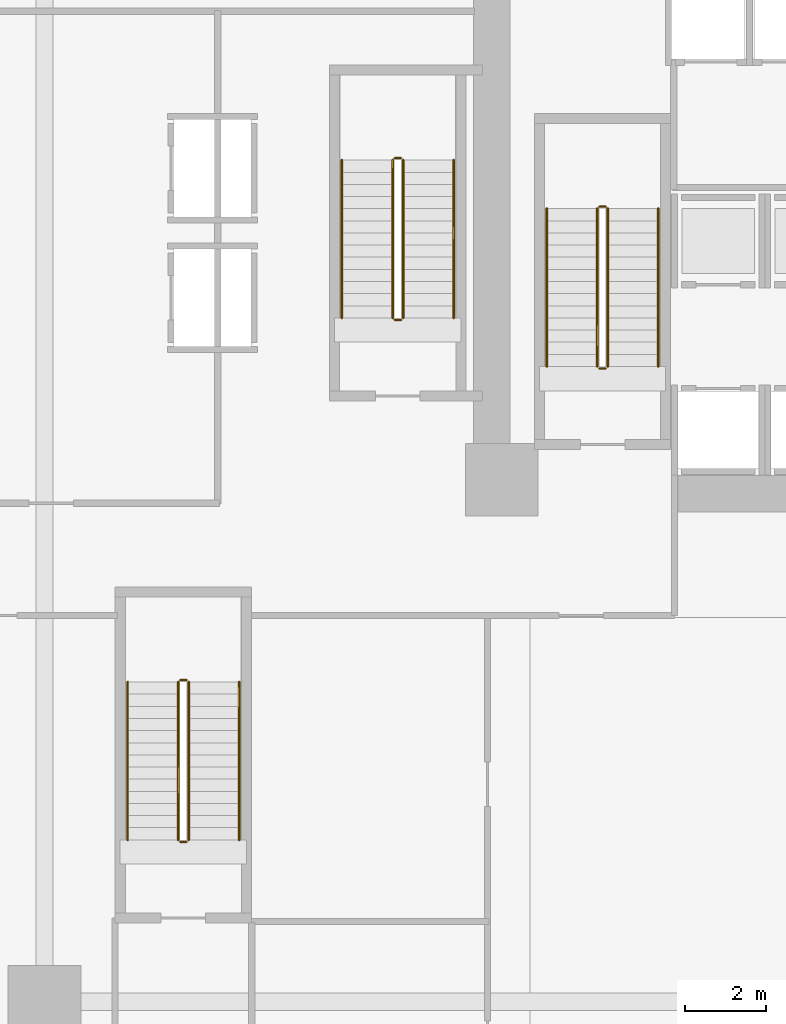
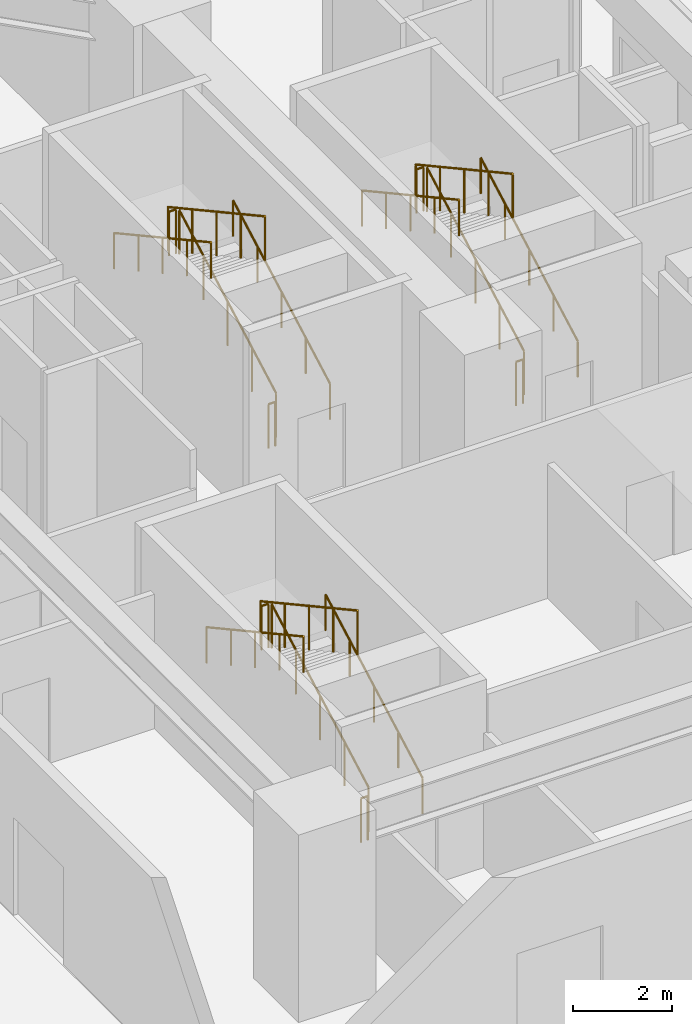
# One storey, part 15 of 18: 18 railings.
"""IFC4 building model written with IfcOpenShell, lengths in metres."""

from ifc_helpers import new_model, si_unit, direction, frame, origin, origin_2d, place, context, subcontext, project, spatial, circle, extrude, material, type_object, element, save


model = new_model("IFC4")

# Units and contexts
model_context = context("Model", 3, precision=1e-05, world=origin(), true_north=direction((0.0, 1.0)))
body_context = subcontext(model_context, "Body", "Model", "MODEL_VIEW")
ifc_project = project(units=[si_unit("LENGTHUNIT", "METRE"), si_unit("AREAUNIT", "SQUARE_METRE"), si_unit("VOLUMEUNIT", "CUBIC_METRE"), si_unit("PLANEANGLEUNIT", "RADIAN"), si_unit("MASSUNIT", "GRAM", prefix="KILO")], contexts=[model_context])

# Site, building, storey
site_placement = place(None, origin())
site = spatial("IfcSite", under=ifc_project, at=site_placement, CompositionType="ELEMENT")
building_placement = place(site_placement, origin())
building = spatial("IfcBuilding", under=site, at=building_placement, Name="Solvane Sanctuary Tower", CompositionType="ELEMENT")
storey_placement = place(building_placement, origin())
storey = spatial("IfcBuildingStorey", under=building, at=storey_placement, Name="L01", CompositionType="ELEMENT", Elevation=0.0)

# Railings
ifc_material = material(Name="Architectural Stainless Steel 316", Category="steel")
railing_type_1 = type_object("IfcRailingType", Name="Railing GR-BALC-1150", PredefinedType="BALUSTRADE", material=ifc_material)
railing_1_placement = place(storey_placement, frame((17.919921875, 19.699951171875, 0.164306640625)))
element("IfcRailing", 1, at=railing_1_placement, inside=storey, type_object=railing_type_1, Name="L01 ST-1 stair guard 1", PredefinedType="BALUSTRADE", context=body_context, shape_type="SweptSolid", body=[
    extrude(circle(Radius=0.02392578125, at=origin_2d()), frame((0.0, 0.0, 1.076171875), z_axis=(0.0, 0.877101224295, 0.480305571839), x_axis=(-1.0, 0.0, 0.0)), (0.0, 0.0, 1.0), 4.446533203125),
    extrude(circle(Radius=0.02099609375, at=origin_2d()), origin(), (0.0, 0.0, 1.0), 1.052001953125),
    extrude(circle(Radius=0.02099609375, at=origin_2d()), frame((0.0, 0.97509765625, 0.533935546875)), (0.0, 0.0, 1.0), 1.052001953125),
    extrude(circle(Radius=0.02099609375, at=origin_2d()), frame((0.0, 1.9501953125, 1.06787109375)), (0.0, 0.0, 1.0), 1.052001953125),
    extrude(circle(Radius=0.02099609375, at=origin_2d()), frame((0.0, 2.925048828125, 1.601806640625)), (0.0, 0.0, 1.0), 1.052001953125),
    extrude(circle(Radius=0.02099609375, at=origin_2d()), frame((0.0, 3.900146484375, 2.1357421875)), (0.0, 0.0, 1.0), 1.052001953125),
])
railing_2_placement = place(storey_placement, frame((17.8701171875, 23.64990234375, 2.300048828125)))
element("IfcRailing", 2, at=railing_2_placement, inside=storey, type_object=railing_type_1, Name="L01 ST-1 stair guard 2", PredefinedType="BALUSTRADE", context=body_context, shape_type="SweptSolid", body=[
    extrude(circle(Radius=0.02392578125, at=origin_2d()), frame((0.0, 0.0, 1.076171875), z_axis=(-1.0, 0.0, 0.0), x_axis=(0.0, -1.0, 0.0)), (0.0, 0.0, 1.0), 0.16015625),
    extrude(circle(Radius=0.02099609375, at=origin_2d()), origin(), (0.0, 0.0, 1.0), 1.052001953125),
    extrude(circle(Radius=0.02099609375, at=origin_2d()), frame((-0.16015625, 0.0, 0.0)), (0.0, 0.0, 1.0), 1.052001953125),
])
railing_3_placement = place(storey_placement, frame((17.659912109375, 23.60009765625, 2.46435546875)))
element("IfcRailing", 3, at=railing_3_placement, inside=storey, type_object=railing_type_1, Name="L01 ST-1 stair guard 3", PredefinedType="BALUSTRADE", context=body_context, shape_type="SweptSolid", body=[
    extrude(circle(Radius=0.02392578125, at=origin_2d()), frame((0.0, 0.0, 1.076171875), z_axis=(0.0, -0.877101224295, 0.480305571839), x_axis=(1.0, 0.0, 0.0)), (0.0, 0.0, 1.0), 4.446533203125),
    extrude(circle(Radius=0.02099609375, at=origin_2d()), origin(), (0.0, 0.0, 1.0), 1.052001953125),
    extrude(circle(Radius=0.02099609375, at=origin_2d()), frame((0.0, -0.97509765625, 0.533935546875)), (0.0, 0.0, 1.0), 1.052001953125),
    extrude(circle(Radius=0.02099609375, at=origin_2d()), frame((0.0, -1.9501953125, 1.06787109375)), (0.0, 0.0, 1.0), 1.052001953125),
    extrude(circle(Radius=0.02099609375, at=origin_2d()), frame((0.0, -2.925048828125, 1.601806640625)), (0.0, 0.0, 1.0), 1.052001953125),
    extrude(circle(Radius=0.02099609375, at=origin_2d()), frame((0.0, -3.900146484375, 2.1357421875)), (0.0, 0.0, 1.0), 1.052001953125),
])
railing_4_placement = place(storey_placement, frame((17.8701171875, 19.64990234375, 0.0)))
element("IfcRailing", 4, at=railing_4_placement, inside=storey, type_object=railing_type_1, Name="L01 ST-1 stair guard 4", PredefinedType="BALUSTRADE", context=body_context, shape_type="SweptSolid", body=[
    extrude(circle(Radius=0.02392578125, at=origin_2d()), frame((0.0, 0.0, 1.076171875), z_axis=(-1.0, 0.0, 0.0), x_axis=(0.0, -1.0, 0.0)), (0.0, 0.0, 1.0), 0.16015625),
    extrude(circle(Radius=0.02099609375, at=origin_2d()), origin(), (0.0, 0.0, 1.0), 1.052001953125),
    extrude(circle(Radius=0.02099609375, at=origin_2d()), frame((-0.16015625, 0.0, 0.0)), (0.0, 0.0, 1.0), 1.052001953125),
])
railing_5_placement = place(storey_placement, frame((12.860107421875, 20.89990234375, 0.164306640625)))
element("IfcRailing", 5, at=railing_5_placement, inside=storey, type_object=railing_type_1, Name="L01 ST-3 stair guard 1", PredefinedType="BALUSTRADE", context=body_context, shape_type="SweptSolid", body=[
    extrude(circle(Radius=0.02392578125, at=origin_2d()), frame((0.0, 0.0, 1.076171875), z_axis=(0.0, 0.877101224295, 0.480305571839), x_axis=(-1.0, 0.0, 0.0)), (0.0, 0.0, 1.0), 4.446533203125),
    extrude(circle(Radius=0.02099609375, at=origin_2d()), origin(), (0.0, 0.0, 1.0), 1.052001953125),
    extrude(circle(Radius=0.02099609375, at=origin_2d()), frame((0.0, 0.97509765625, 0.533935546875)), (0.0, 0.0, 1.0), 1.052001953125),
    extrude(circle(Radius=0.02099609375, at=origin_2d()), frame((0.0, 1.9501953125, 1.06787109375)), (0.0, 0.0, 1.0), 1.052001953125),
    extrude(circle(Radius=0.02099609375, at=origin_2d()), frame((0.0, 2.925048828125, 1.601806640625)), (0.0, 0.0, 1.0), 1.052001953125),
    extrude(circle(Radius=0.02099609375, at=origin_2d()), frame((0.0, 3.900146484375, 2.1357421875)), (0.0, 0.0, 1.0), 1.052001953125),
])
railing_6_placement = place(storey_placement, frame((12.81005859375, 24.85009765625, 2.300048828125)))
element("IfcRailing", 6, at=railing_6_placement, inside=storey, type_object=railing_type_1, Name="L01 ST-3 stair guard 2", PredefinedType="BALUSTRADE", context=body_context, shape_type="SweptSolid", body=[
    extrude(circle(Radius=0.02392578125, at=origin_2d()), frame((0.0, 0.0, 1.076171875), z_axis=(-1.0, 0.0, 0.0), x_axis=(0.0, -1.0, 0.0)), (0.0, 0.0, 1.0), 0.16015625),
    extrude(circle(Radius=0.02099609375, at=origin_2d()), origin(), (0.0, 0.0, 1.0), 1.052001953125),
    extrude(circle(Radius=0.02099609375, at=origin_2d()), frame((-0.16015625, 0.0, 0.0)), (0.0, 0.0, 1.0), 1.052001953125),
])
railing_7_placement = place(storey_placement, frame((12.60009765625, 24.800048828125, 2.46435546875)))
element("IfcRailing", 7, at=railing_7_placement, inside=storey, type_object=railing_type_1, Name="L01 ST-3 stair guard 3", PredefinedType="BALUSTRADE", context=body_context, shape_type="SweptSolid", body=[
    extrude(circle(Radius=0.02392578125, at=origin_2d()), frame((0.0, 0.0, 1.076171875), z_axis=(0.0, -0.877101224295, 0.480305571839), x_axis=(1.0, 0.0, 0.0)), (0.0, 0.0, 1.0), 4.446533203125),
    extrude(circle(Radius=0.02099609375, at=origin_2d()), origin(), (0.0, 0.0, 1.0), 1.052001953125),
    extrude(circle(Radius=0.02099609375, at=origin_2d()), frame((0.0, -0.97509765625, 0.533935546875)), (0.0, 0.0, 1.0), 1.052001953125),
    extrude(circle(Radius=0.02099609375, at=origin_2d()), frame((0.0, -1.9501953125, 1.06787109375)), (0.0, 0.0, 1.0), 1.052001953125),
    extrude(circle(Radius=0.02099609375, at=origin_2d()), frame((0.0, -2.925048828125, 1.601806640625)), (0.0, 0.0, 1.0), 1.052001953125),
    extrude(circle(Radius=0.02099609375, at=origin_2d()), frame((0.0, -3.900146484375, 2.1357421875)), (0.0, 0.0, 1.0), 1.052001953125),
])
railing_8_placement = place(storey_placement, frame((12.81005859375, 20.85009765625, 0.0)))
element("IfcRailing", 8, at=railing_8_placement, inside=storey, type_object=railing_type_1, Name="L01 ST-3 stair guard 4", PredefinedType="BALUSTRADE", context=body_context, shape_type="SweptSolid", body=[
    extrude(circle(Radius=0.02392578125, at=origin_2d()), frame((0.0, 0.0, 1.076171875), z_axis=(-1.0, 0.0, 0.0), x_axis=(0.0, -1.0, 0.0)), (0.0, 0.0, 1.0), 0.16015625),
    extrude(circle(Radius=0.02099609375, at=origin_2d()), origin(), (0.0, 0.0, 1.0), 1.052001953125),
    extrude(circle(Radius=0.02099609375, at=origin_2d()), frame((-0.16015625, 0.0, 0.0)), (0.0, 0.0, 1.0), 1.052001953125),
])
railing_9_placement = place(storey_placement, frame((7.56005859375, 8.0, 0.164306640625)))
element("IfcRailing", 9, at=railing_9_placement, inside=storey, type_object=railing_type_1, Name="L01 ST-4 stair guard 1", PredefinedType="BALUSTRADE", context=body_context, shape_type="SweptSolid", body=[
    extrude(circle(Radius=0.02392578125, at=origin_2d()), frame((0.0, 0.0, 1.076171875), z_axis=(0.0, 0.877088557246, 0.480328702816), x_axis=(-1.0, 0.0, 0.0)), (0.0, 0.0, 1.0), 4.446533203125),
    extrude(circle(Radius=0.02099609375, at=origin_2d()), origin(), (0.0, 0.0, 1.0), 1.052001953125),
    extrude(circle(Radius=0.02099609375, at=origin_2d()), frame((0.0, 0.97509765625, 0.533935546875)), (0.0, 0.0, 1.0), 1.052001953125),
    extrude(circle(Radius=0.02099609375, at=origin_2d()), frame((0.0, 1.949951171875, 1.06787109375)), (0.0, 0.0, 1.0), 1.052001953125),
    extrude(circle(Radius=0.02099609375, at=origin_2d()), frame((0.0, 2.9248046875, 1.601806640625)), (0.0, 0.0, 1.0), 1.052001953125),
    extrude(circle(Radius=0.02099609375, at=origin_2d()), frame((0.0, 3.89990234375, 2.1357421875)), (0.0, 0.0, 1.0), 1.052001953125),
])
railing_10_placement = place(storey_placement, frame((7.510009765625, 11.949951171875, 2.300048828125)))
element("IfcRailing", 10, at=railing_10_placement, inside=storey, type_object=railing_type_1, Name="L01 ST-4 stair guard 2", PredefinedType="BALUSTRADE", context=body_context, shape_type="SweptSolid", body=[
    extrude(circle(Radius=0.02392578125, at=origin_2d()), frame((0.0, 0.0, 1.076171875), z_axis=(-1.0, 0.0, 0.0), x_axis=(0.0, -1.0, 0.0)), (0.0, 0.0, 1.0), 0.159912109375),
    extrude(circle(Radius=0.02099609375, at=origin_2d()), origin(), (0.0, 0.0, 1.0), 1.052001953125),
    extrude(circle(Radius=0.02099609375, at=origin_2d()), frame((-0.159912109375, 0.0, 0.0)), (0.0, 0.0, 1.0), 1.052001953125),
])
railing_11_placement = place(storey_placement, frame((7.300048828125, 11.89990234375, 2.46435546875)))
element("IfcRailing", 11, at=railing_11_placement, inside=storey, type_object=railing_type_1, Name="L01 ST-4 stair guard 3", PredefinedType="BALUSTRADE", context=body_context, shape_type="SweptSolid", body=[
    extrude(circle(Radius=0.02392578125, at=origin_2d()), frame((0.0, 0.0, 1.076171875), z_axis=(0.0, -0.877088557246, 0.480328702816), x_axis=(1.0, 0.0, 0.0)), (0.0, 0.0, 1.0), 4.446533203125),
    extrude(circle(Radius=0.02099609375, at=origin_2d()), origin(), (0.0, 0.0, 1.0), 1.052001953125),
    extrude(circle(Radius=0.02099609375, at=origin_2d()), frame((0.0, -0.97509765625, 0.533935546875)), (0.0, 0.0, 1.0), 1.052001953125),
    extrude(circle(Radius=0.02099609375, at=origin_2d()), frame((0.0, -1.949951171875, 1.06787109375)), (0.0, 0.0, 1.0), 1.052001953125),
    extrude(circle(Radius=0.02099609375, at=origin_2d()), frame((0.0, -2.9248046875, 1.601806640625)), (0.0, 0.0, 1.0), 1.052001953125),
    extrude(circle(Radius=0.02099609375, at=origin_2d()), frame((0.0, -3.89990234375, 2.1357421875)), (0.0, 0.0, 1.0), 1.052001953125),
])
railing_12_placement = place(storey_placement, frame((7.510009765625, 7.949951171875, 0.0)))
element("IfcRailing", 12, at=railing_12_placement, inside=storey, type_object=railing_type_1, Name="L01 ST-4 stair guard 4", PredefinedType="BALUSTRADE", context=body_context, shape_type="SweptSolid", body=[
    extrude(circle(Radius=0.02392578125, at=origin_2d()), frame((0.0, 0.0, 1.076171875), z_axis=(-1.0, 0.0, 0.0), x_axis=(0.0, -1.0, 0.0)), (0.0, 0.0, 1.0), 0.159912109375),
    extrude(circle(Radius=0.02099609375, at=origin_2d()), origin(), (0.0, 0.0, 1.0), 1.052001953125),
    extrude(circle(Radius=0.02099609375, at=origin_2d()), frame((-0.159912109375, 0.0, 0.0)), (0.0, 0.0, 1.0), 1.052001953125),
])
railing_type_2 = type_object("IfcRailingType", Name="Railing HR-STAIR-920", PredefinedType="HANDRAIL", material=ifc_material)
railing_13_placement = place(storey_placement, frame((19.169921875, 19.699951171875, 0.164306640625)))
element("IfcRailing", 13, at=railing_13_placement, inside=storey, type_object=railing_type_2, Name="L01 ST-1 stair handrail 1", PredefinedType="HANDRAIL", context=body_context, shape_type="SweptSolid", body=[
    extrude(circle(Radius=0.02392578125, at=origin_2d()), frame((0.0, 0.0, 0.8759765625), z_axis=(0.0, 0.877101224295, 0.480305571839), x_axis=(-1.0, 0.0, 0.0)), (0.0, 0.0, 1.0), 4.446533203125),
    extrude(circle(Radius=0.02099609375, at=origin_2d()), origin(), (0.0, 0.0, 1.0), 0.851806640625),
    extrude(circle(Radius=0.02099609375, at=origin_2d()), frame((0.0, 0.97509765625, 0.533935546875)), (0.0, 0.0, 1.0), 0.851806640625),
    extrude(circle(Radius=0.02099609375, at=origin_2d()), frame((0.0, 1.9501953125, 1.06787109375)), (0.0, 0.0, 1.0), 0.851806640625),
    extrude(circle(Radius=0.02099609375, at=origin_2d()), frame((0.0, 2.925048828125, 1.601806640625)), (0.0, 0.0, 1.0), 0.851806640625),
    extrude(circle(Radius=0.02099609375, at=origin_2d()), frame((0.0, 3.900146484375, 2.1357421875)), (0.0, 0.0, 1.0), 0.851806640625),
])
railing_14_placement = place(storey_placement, frame((16.409912109375, 23.60009765625, 2.46435546875)))
element("IfcRailing", 14, at=railing_14_placement, inside=storey, type_object=railing_type_2, Name="L01 ST-1 stair handrail 2", PredefinedType="HANDRAIL", context=body_context, shape_type="SweptSolid", body=[
    extrude(circle(Radius=0.02392578125, at=origin_2d()), frame((0.0, 0.0, 0.8759765625), z_axis=(0.0, -0.877101224295, 0.480305571839), x_axis=(1.0, 0.0, 0.0)), (0.0, 0.0, 1.0), 4.446533203125),
    extrude(circle(Radius=0.02099609375, at=origin_2d()), origin(), (0.0, 0.0, 1.0), 0.851806640625),
    extrude(circle(Radius=0.02099609375, at=origin_2d()), frame((0.0, -0.97509765625, 0.533935546875)), (0.0, 0.0, 1.0), 0.851806640625),
    extrude(circle(Radius=0.02099609375, at=origin_2d()), frame((0.0, -1.9501953125, 1.06787109375)), (0.0, 0.0, 1.0), 0.851806640625),
    extrude(circle(Radius=0.02099609375, at=origin_2d()), frame((0.0, -2.925048828125, 1.601806640625)), (0.0, 0.0, 1.0), 0.851806640625),
    extrude(circle(Radius=0.02099609375, at=origin_2d()), frame((0.0, -3.900146484375, 2.1357421875)), (0.0, 0.0, 1.0), 0.851806640625),
])
railing_15_placement = place(storey_placement, frame((14.110107421875, 20.89990234375, 0.164306640625)))
element("IfcRailing", 15, at=railing_15_placement, inside=storey, type_object=railing_type_2, Name="L01 ST-3 stair handrail 1", PredefinedType="HANDRAIL", context=body_context, shape_type="SweptSolid", body=[
    extrude(circle(Radius=0.02392578125, at=origin_2d()), frame((0.0, 0.0, 0.8759765625), z_axis=(0.0, 0.877101224295, 0.480305571839), x_axis=(-1.0, 0.0, 0.0)), (0.0, 0.0, 1.0), 4.446533203125),
    extrude(circle(Radius=0.02099609375, at=origin_2d()), origin(), (0.0, 0.0, 1.0), 0.851806640625),
    extrude(circle(Radius=0.02099609375, at=origin_2d()), frame((0.0, 0.97509765625, 0.533935546875)), (0.0, 0.0, 1.0), 0.851806640625),
    extrude(circle(Radius=0.02099609375, at=origin_2d()), frame((0.0, 1.9501953125, 1.06787109375)), (0.0, 0.0, 1.0), 0.851806640625),
    extrude(circle(Radius=0.02099609375, at=origin_2d()), frame((0.0, 2.925048828125, 1.601806640625)), (0.0, 0.0, 1.0), 0.851806640625),
    extrude(circle(Radius=0.02099609375, at=origin_2d()), frame((0.0, 3.900146484375, 2.1357421875)), (0.0, 0.0, 1.0), 0.851806640625),
])
railing_16_placement = place(storey_placement, frame((11.35009765625, 24.800048828125, 2.46435546875)))
element("IfcRailing", 16, at=railing_16_placement, inside=storey, type_object=railing_type_2, Name="L01 ST-3 stair handrail 2", PredefinedType="HANDRAIL", context=body_context, shape_type="SweptSolid", body=[
    extrude(circle(Radius=0.02392578125, at=origin_2d()), frame((0.0, 0.0, 0.8759765625), z_axis=(0.0, -0.877101224295, 0.480305571839), x_axis=(1.0, 0.0, 0.0)), (0.0, 0.0, 1.0), 4.446533203125),
    extrude(circle(Radius=0.02099609375, at=origin_2d()), origin(), (0.0, 0.0, 1.0), 0.851806640625),
    extrude(circle(Radius=0.02099609375, at=origin_2d()), frame((0.0, -0.97509765625, 0.533935546875)), (0.0, 0.0, 1.0), 0.851806640625),
    extrude(circle(Radius=0.02099609375, at=origin_2d()), frame((0.0, -1.9501953125, 1.06787109375)), (0.0, 0.0, 1.0), 0.851806640625),
    extrude(circle(Radius=0.02099609375, at=origin_2d()), frame((0.0, -2.925048828125, 1.601806640625)), (0.0, 0.0, 1.0), 0.851806640625),
    extrude(circle(Radius=0.02099609375, at=origin_2d()), frame((0.0, -3.900146484375, 2.1357421875)), (0.0, 0.0, 1.0), 0.851806640625),
])
railing_17_placement = place(storey_placement, frame((8.81005859375, 8.0, 0.164306640625)))
element("IfcRailing", 17, at=railing_17_placement, inside=storey, type_object=railing_type_2, Name="L01 ST-4 stair handrail 1", PredefinedType="HANDRAIL", context=body_context, shape_type="SweptSolid", body=[
    extrude(circle(Radius=0.02392578125, at=origin_2d()), frame((0.0, 0.0, 0.8759765625), z_axis=(0.0, 0.877088557246, 0.480328702816), x_axis=(-1.0, 0.0, 0.0)), (0.0, 0.0, 1.0), 4.446533203125),
    extrude(circle(Radius=0.02099609375, at=origin_2d()), origin(), (0.0, 0.0, 1.0), 0.851806640625),
    extrude(circle(Radius=0.02099609375, at=origin_2d()), frame((0.0, 0.97509765625, 0.533935546875)), (0.0, 0.0, 1.0), 0.851806640625),
    extrude(circle(Radius=0.02099609375, at=origin_2d()), frame((0.0, 1.949951171875, 1.06787109375)), (0.0, 0.0, 1.0), 0.851806640625),
    extrude(circle(Radius=0.02099609375, at=origin_2d()), frame((0.0, 2.9248046875, 1.601806640625)), (0.0, 0.0, 1.0), 0.851806640625),
    extrude(circle(Radius=0.02099609375, at=origin_2d()), frame((0.0, 3.89990234375, 2.1357421875)), (0.0, 0.0, 1.0), 0.851806640625),
])
railing_18_placement = place(storey_placement, frame((6.050048828125, 11.89990234375, 2.46435546875)))
element("IfcRailing", 18, at=railing_18_placement, inside=storey, type_object=railing_type_2, Name="L01 ST-4 stair handrail 2", PredefinedType="HANDRAIL", context=body_context, shape_type="SweptSolid", body=[
    extrude(circle(Radius=0.02392578125, at=origin_2d()), frame((0.0, 0.0, 0.8759765625), z_axis=(0.0, -0.877088557246, 0.480328702816), x_axis=(1.0, 0.0, 0.0)), (0.0, 0.0, 1.0), 4.446533203125),
    extrude(circle(Radius=0.02099609375, at=origin_2d()), origin(), (0.0, 0.0, 1.0), 0.851806640625),
    extrude(circle(Radius=0.02099609375, at=origin_2d()), frame((0.0, -0.97509765625, 0.533935546875)), (0.0, 0.0, 1.0), 0.851806640625),
    extrude(circle(Radius=0.02099609375, at=origin_2d()), frame((0.0, -1.949951171875, 1.06787109375)), (0.0, 0.0, 1.0), 0.851806640625),
    extrude(circle(Radius=0.02099609375, at=origin_2d()), frame((0.0, -2.9248046875, 1.601806640625)), (0.0, 0.0, 1.0), 0.851806640625),
    extrude(circle(Radius=0.02099609375, at=origin_2d()), frame((0.0, -3.89990234375, 2.1357421875)), (0.0, 0.0, 1.0), 0.851806640625),
])

save(model, "model.ifc")
